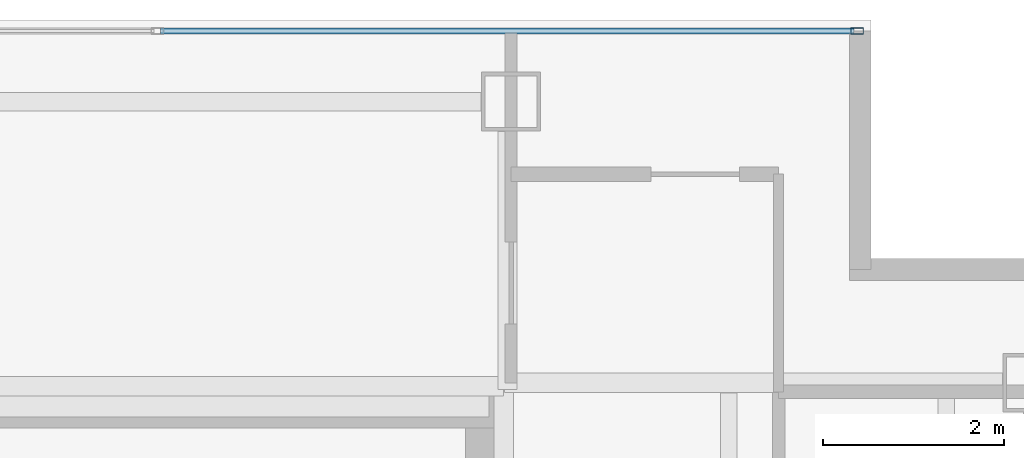
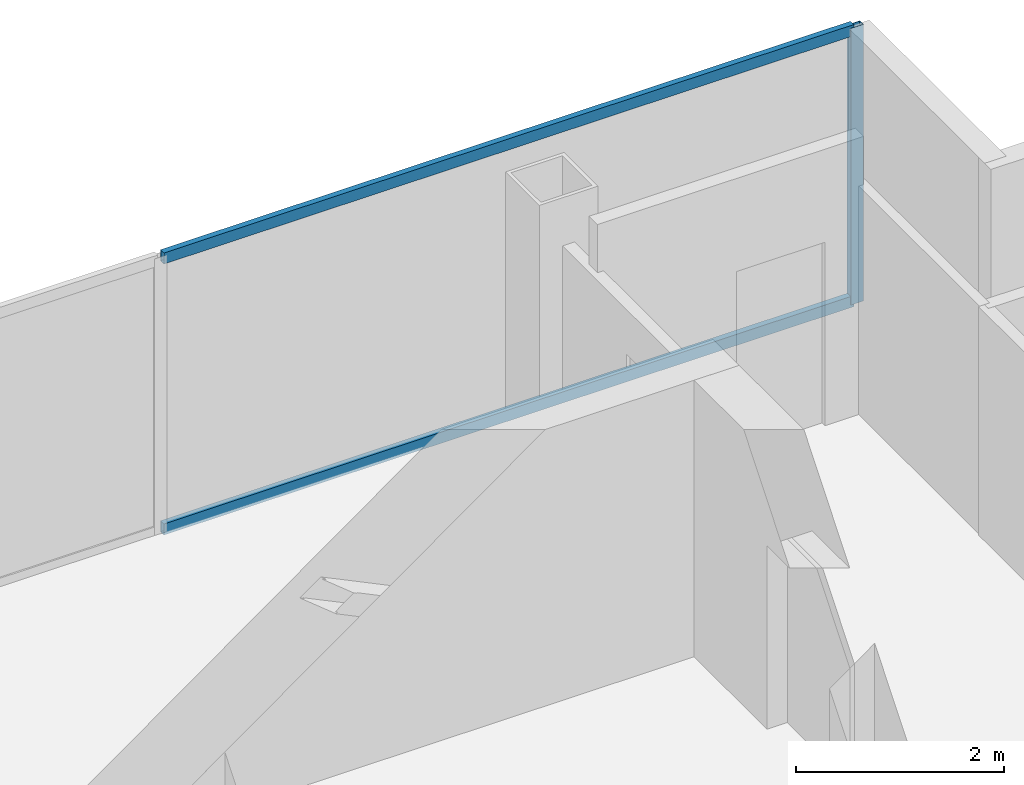
# One storey, part 18 of 23: 3 members, 1 element without a shape of its own.
"""IFC4 building model written with IfcOpenShell, lengths in metres."""

from ifc_helpers import new_model, si_unit, direction, frame, origin, origin_2d, place, context, subcontext, project, spatial, hollow_rectangle, extrude, material, material_profile, profile_set, type_object, element, aggregate, save


model = new_model("IFC4")

# Units and contexts
model_context = context("Model", 3, precision=1e-05, world=origin(), true_north=direction((0.0, 1.0)))
body_context = subcontext(model_context, "Body", "Model", "MODEL_VIEW")
ifc_project = project(units=[si_unit("LENGTHUNIT", "METRE"), si_unit("AREAUNIT", "SQUARE_METRE"), si_unit("VOLUMEUNIT", "CUBIC_METRE"), si_unit("PLANEANGLEUNIT", "RADIAN"), si_unit("MASSUNIT", "GRAM", prefix="KILO")], contexts=[model_context])

# Site, building, storey
site_placement = place(None, origin())
site = spatial("IfcSite", under=ifc_project, at=site_placement, CompositionType="ELEMENT")
building_placement = place(site_placement, origin())
building = spatial("IfcBuilding", under=site, at=building_placement, Name="Cobrela Telecom Tower", CompositionType="ELEMENT")
storey_placement = place(building_placement, frame((0.0, 0.0, 276.14990234375)))
storey = spatial("IfcBuildingStorey", under=building, at=storey_placement, Name="L72", CompositionType="ELEMENT", Elevation=276.14990234375)

# Curtain wall, members
ifc_material = material(Name="Anodized Bronze Aluminium 6063-T6", Category="aluminium")
curtain_wall_type = type_object("IfcCurtainWallType", Name="CW-SYS-OFF-HI", PredefinedType="USERDEFINED", material=ifc_material)
curtain_wall_placement = place(storey_placement, origin())
curtain_wall = element("IfcCurtainWall", 1, at=curtain_wall_placement, inside=storey, type_object=curtain_wall_type, Name="L72 Unitised Bronze Curtain Wall 05", ObjectType="UNITISED CURTAIN WALL", PredefinedType="USERDEFINED")
ifc_material_profile_1 = material_profile(ifc_material, hollow_rectangle(XDim=0.070068359375, YDim=0.139892578125, WallThickness=0.00390625, at=origin_2d()), Name="ALU 70x140x4")
ifc_profile_set_1 = profile_set([ifc_material_profile_1], Name="Anodized Bronze Aluminium 6063-T6")
member_type_1 = type_object("IfcMemberType", Name="CW-SYS-OFF-HI-MUL", PredefinedType="MULLION", material=ifc_profile_set_1)
member_1_placement = place(storey_placement, frame((18.215087890625, 39.8798828125, 0.0), z_axis=(0.0, 0.0, 1.0), x_axis=(0.0, 1.0, 0.0)))
member_1 = element("IfcMember", 2, at=member_1_placement, type_object=member_type_1, Name="CW-OFF-HI mullion 3", PredefinedType="MULLION", context=body_context, shape_type="SweptSolid", body=[
    extrude(hollow_rectangle(XDim=0.070068359375, YDim=0.139892578125, WallThickness=0.00390625, at=origin_2d()), origin(), (0.0, 0.0, 1.0), 3.239990234375),
])
ifc_material_profile_2 = material_profile(ifc_material, hollow_rectangle(XDim=0.06494140625, YDim=0.1298828125, WallThickness=0.00390625, at=origin_2d()), Name="ALU 65x130x4")
ifc_profile_set_2 = profile_set([ifc_material_profile_2], Name="Anodized Bronze Aluminium 6063-T6")
member_type_2 = type_object("IfcMemberType", Name="CW-SYS-OFF-HI-TRN", PredefinedType="USERDEFINED", material=ifc_profile_set_2)
member_2_placement = place(storey_placement, frame((10.534912109375, 39.8798828125, 0.03271484375), z_axis=(1.0, 0.0, 0.0), x_axis=(0.0, 1.0, 0.0)))
member_2 = element("IfcMember", 3, at=member_2_placement, type_object=member_type_2, Name="CW-OFF-HI transom 2.1", ObjectType="TRANSOM", PredefinedType="USERDEFINED", context=body_context, shape_type="SweptSolid", body=[
    extrude(hollow_rectangle(XDim=0.06494140625, YDim=0.1298828125, WallThickness=0.00390625, at=origin_2d()), origin(), (0.0, 0.0, 1.0), 7.64501953125),
])
member_3_placement = place(storey_placement, frame((10.534912109375, 39.8798828125, 3.20751953125), z_axis=(1.0, 0.0, 0.0), x_axis=(0.0, 1.0, 0.0)))
member_3 = element("IfcMember", 4, at=member_3_placement, type_object=member_type_2, Name="CW-OFF-HI transom 2.2", ObjectType="TRANSOM", PredefinedType="USERDEFINED", context=body_context, shape_type="SweptSolid", body=[
    extrude(hollow_rectangle(XDim=0.06494140625, YDim=0.1298828125, WallThickness=0.00390625, at=origin_2d()), origin(), (0.0, 0.0, 1.0), 7.64501953125),
])
aggregate(curtain_wall, [member_1, member_2, member_3])

save(model, "model.ifc")
